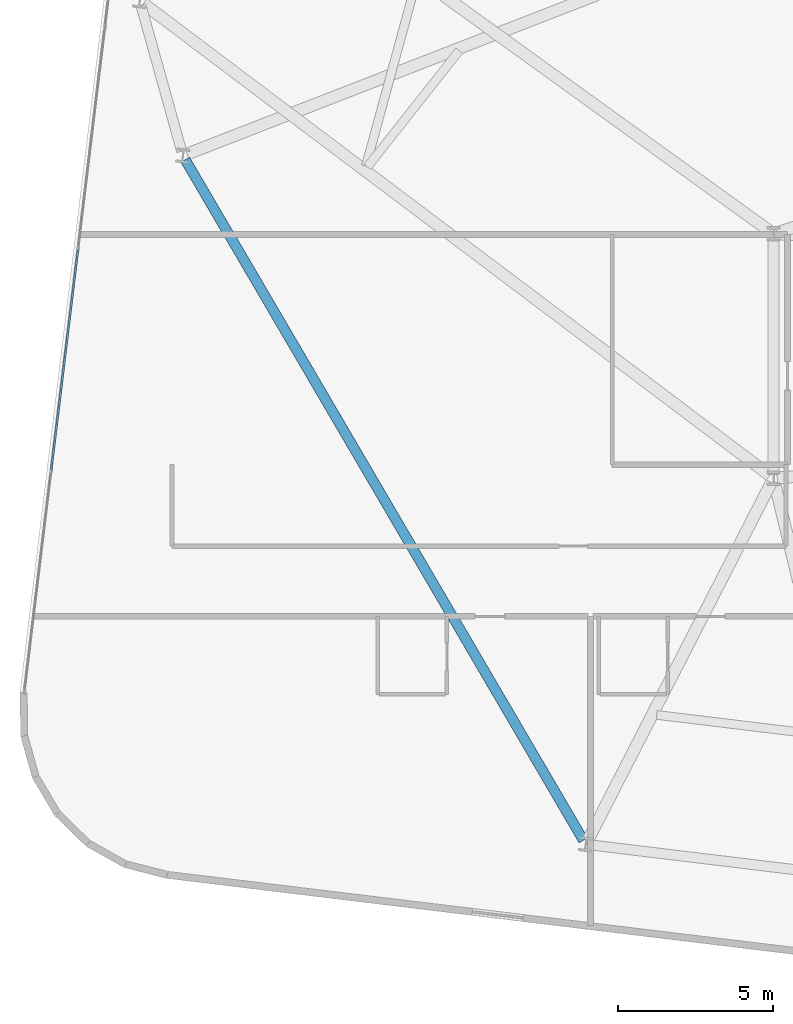
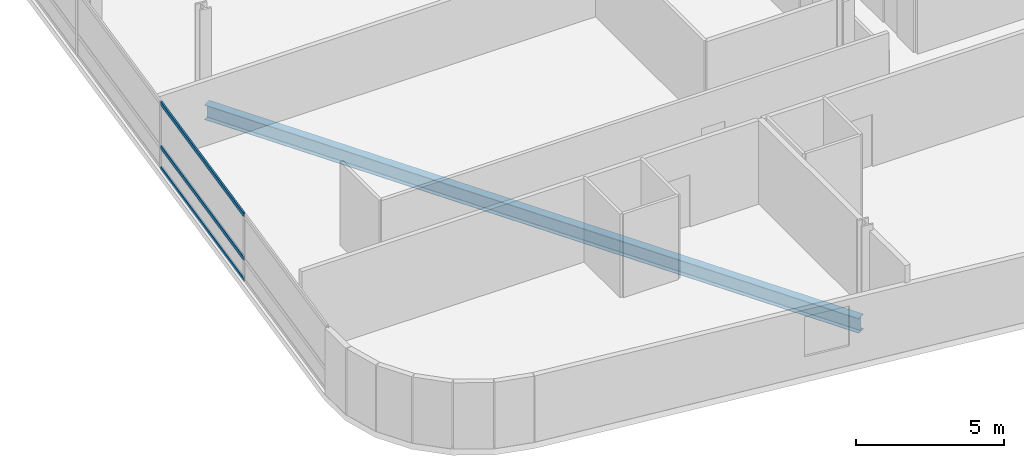
# One storey, part 5 of 25: 3 members, 1 beam, 1 element without a shape of its own.
"""IFC4 building model written with IfcOpenShell, lengths in metres."""

from ifc_helpers import new_model, si_unit, direction, frame, origin, origin_2d, place, context, subcontext, project, spatial, hollow_rectangle, i_section, extrude, material, layer, layer_set, material_profile, profile_set, type_object, element, aggregate, save


model = new_model("IFC4")

# Units and contexts
model_context = context("Model", 3, precision=1e-05, world=origin(), true_north=direction((0.0, 1.0)))
body_context = subcontext(model_context, "Body", "Model", "MODEL_VIEW")
ifc_project = project(units=[si_unit("LENGTHUNIT", "METRE"), si_unit("AREAUNIT", "SQUARE_METRE"), si_unit("VOLUMEUNIT", "CUBIC_METRE"), si_unit("PLANEANGLEUNIT", "RADIAN"), si_unit("MASSUNIT", "GRAM", prefix="KILO")], contexts=[model_context])

# Site, building, storey
site_placement = place(None, origin())
site = spatial("IfcSite", under=ifc_project, at=site_placement, CompositionType="ELEMENT")
building_placement = place(site_placement, origin())
building = spatial("IfcBuilding", under=site, at=building_placement, Name="Varnelok Gate Tower", CompositionType="ELEMENT")
storey_placement = place(building_placement, frame((0.0, 0.0, 140.199951171875)))
storey = spatial("IfcBuildingStorey", under=building, at=storey_placement, Name="L35", CompositionType="ELEMENT", Elevation=140.199951171875)

# Beam
ifc_material_1 = material(Name="Structural Steel ASTM A992 Grade 50", Category="steel")
ifc_material_profile_1 = material_profile(ifc_material_1, i_section(OverallWidth=0.323974609375, OverallDepth=0.611083984375, WebThickness=0.0126953125, FlangeThickness=0.01904296875, FilletRadius=0.01806640625, at=origin_2d()), Name="W24X104")
ifc_profile_set_1 = profile_set([ifc_material_profile_1], Name="Structural Steel ASTM A992 Grade 50")
beam_type = type_object("IfcBeamType", Name="BM-SPN-W24X104", PredefinedType="SPANDREL", material=ifc_profile_set_1)
beam_placement = place(storey_placement, frame((5.43115234375, 29.072021484375, -0.555419921875), z_axis=(0.504960797965, -0.863142278259, 0.0), x_axis=(0.863142278259, 0.504960797965, 0.0)))
element("IfcBeam", 1, at=beam_placement, inside=storey, type_object=beam_type, Name="L35 Perimeter Spandrel Beam 16", PredefinedType="SPANDREL", context=body_context, shape_type="SweptSolid", body=[
    extrude(i_section(OverallWidth=0.323974609375, OverallDepth=0.611083984375, WebThickness=0.0126953125, FlangeThickness=0.01904296875, FilletRadius=0.01806640625, at=origin_2d()), origin(), (0.0, 0.0, 1.0), 25.425537109375),
])

# Curtain wall, members
ifc_material_2 = material(Name="Anodized Aluminum Alloy 6063-T6", Category="aluminium")
ifc_layer = layer(ifc_material_2, 0.179931640625)
ifc_layer_set = layer_set([ifc_layer], Name="Anodized Aluminum Alloy 6063-T6")
curtain_wall_type = type_object("IfcCurtainWallType", Name="CW3-HOTEL-VISION", PredefinedType="USERDEFINED", material=ifc_layer_set)
curtain_wall_placement = place(storey_placement, origin())
curtain_wall = element("IfcCurtainWall", 2, at=curtain_wall_placement, inside=storey, type_object=curtain_wall_type, Name="L35 West End Vision Curtain Wall", ObjectType="UNITISED CURTAIN WALL", PredefinedType="USERDEFINED")
ifc_material_profile_2 = material_profile(ifc_material_2, hollow_rectangle(XDim=0.06494140625, YDim=0.159912109375, WallThickness=0.00390625, at=origin_2d()), Name="ALU160X65X4")
ifc_profile_set_2 = profile_set([ifc_material_profile_2], Name="Anodized Aluminum Alloy 6063-T6")
member_type = type_object("IfcMemberType", Name="CW-TRAN-160", PredefinedType="USERDEFINED", material=ifc_profile_set_2)
member_1_placement = place(storey_placement, frame((1.113525390625, 19.07080078125, 0.032470703125), z_axis=(0.120344652138, 0.992732171687, 0.0), x_axis=(-0.992732171687, 0.120344652138, 0.0)))
member_1 = element("IfcMember", 3, at=member_1_placement, type_object=member_type, Name="CW3 transom 2.1", ObjectType="TRANSOM", PredefinedType="USERDEFINED", context=body_context, shape_type="SweptSolid", body=[
    extrude(hollow_rectangle(XDim=0.06494140625, YDim=0.159912109375, WallThickness=0.00390625, at=origin_2d()), origin(), (0.0, 0.0, 1.0), 7.134765625),
])
member_2_placement = place(storey_placement, frame((1.113525390625, 19.07080078125, 0.900146484375), z_axis=(0.120344652138, 0.992732171687, 0.0), x_axis=(-0.992732171687, 0.120344652138, 0.0)))
member_2 = element("IfcMember", 4, at=member_2_placement, type_object=member_type, Name="CW3 transom 2.2", ObjectType="TRANSOM", PredefinedType="USERDEFINED", context=body_context, shape_type="SweptSolid", body=[
    extrude(hollow_rectangle(XDim=0.06494140625, YDim=0.159912109375, WallThickness=0.00390625, at=origin_2d()), origin(), (0.0, 0.0, 1.0), 7.134765625),
])
member_3_placement = place(storey_placement, frame((1.113525390625, 19.07080078125, 2.697509765625), z_axis=(0.120344652138, 0.992732171687, 0.0), x_axis=(-0.992732171687, 0.120344652138, 0.0)))
member_3 = element("IfcMember", 5, at=member_3_placement, type_object=member_type, Name="CW3 transom 2.3", ObjectType="TRANSOM", PredefinedType="USERDEFINED", context=body_context, shape_type="SweptSolid", body=[
    extrude(hollow_rectangle(XDim=0.06494140625, YDim=0.159912109375, WallThickness=0.00390625, at=origin_2d()), origin(), (0.0, 0.0, 1.0), 7.134765625),
])
aggregate(curtain_wall, [member_1, member_2, member_3])

save(model, "model.ifc")
